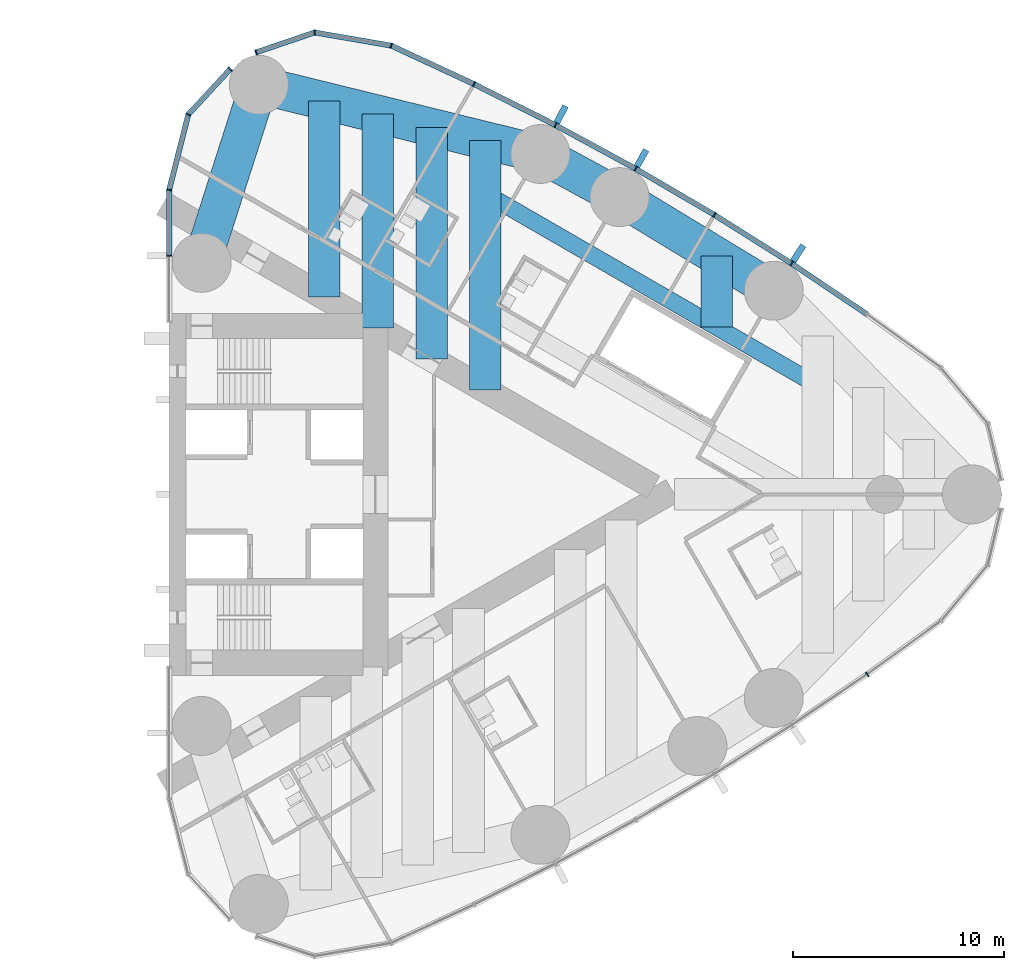
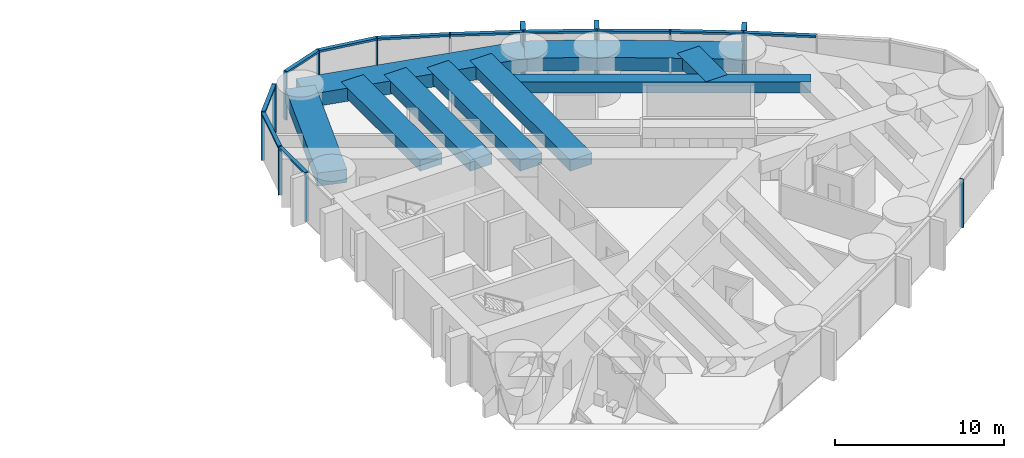
# One storey, part 8 of 18: 27 members, 10 beams, 3 elements without a shape of their own.
"""IFC4 building model written with IfcOpenShell, lengths in metres."""

from ifc_helpers import new_model, si_unit, direction, frame, origin, origin_2d, place, context, subcontext, project, spatial, rectangle, hollow_rectangle, extrude, material, material_profile, profile_set, type_object, element, aggregate, save


model = new_model("IFC4")

# Units and contexts
model_context = context("Model", 3, precision=1e-05, world=origin(), true_north=direction((0.0, 1.0)))
body_context = subcontext(model_context, "Body", "Model", "MODEL_VIEW")
ifc_project = project(units=[si_unit("LENGTHUNIT", "METRE"), si_unit("AREAUNIT", "SQUARE_METRE"), si_unit("VOLUMEUNIT", "CUBIC_METRE"), si_unit("PLANEANGLEUNIT", "RADIAN"), si_unit("MASSUNIT", "GRAM", prefix="KILO")], contexts=[model_context])

# Site, building, storey
site_placement = place(None, origin())
site = spatial("IfcSite", under=ifc_project, at=site_placement, CompositionType="ELEMENT")
building_placement = place(site_placement, origin())
building = spatial("IfcBuilding", under=site, at=building_placement, Name="Lancet Gate Hotel", CompositionType="ELEMENT")
storey_placement = place(building_placement, frame((0.0, 0.0, 180.800048828125)))
storey = spatial("IfcBuildingStorey", under=building, at=storey_placement, Name="L48", CompositionType="ELEMENT", Elevation=180.800048828125)

# Curtain wall, member
ifc_material_1 = material(Name="Aluminium curtain wall", Category="aluminium")
curtain_wall_type = type_object("IfcCurtainWallType", Name="Tower unitised curtain wall", PredefinedType="USERDEFINED", material=ifc_material_1)
curtain_wall_1_placement = place(storey_placement, origin())
curtain_wall_1 = element("IfcCurtainWall", 1, at=curtain_wall_1_placement, inside=storey, type_object=curtain_wall_type, Name="T2 L48 curtain wall 2", ObjectType="UNITISED CURTAIN WALL", PredefinedType="USERDEFINED")
ifc_material_2 = material(Name="Aluminium mullion", Category="aluminium")
ifc_material_profile_1 = material_profile(ifc_material_2, rectangle(XDim=0.06494140625, YDim=0.25, at=origin_2d()), Name="MULLION 65x250")
ifc_profile_set_1 = profile_set([ifc_material_profile_1], Name="Aluminium mullion")
member_type_1 = type_object("IfcMemberType", Name="Aluminium mullion 65x250", PredefinedType="MULLION", material=ifc_profile_set_1)
member_1_placement = place(storey_placement, frame((60.66015625, -8.547607421875, 0.0), z_axis=(0.0, 0.0, 1.0), x_axis=(0.820068208435, 0.572265789222, 0.0)))
member_1 = element("IfcMember", 2, at=member_1_placement, type_object=member_type_1, Name="T2 L48 curtain wall 2 mullion 9", PredefinedType="MULLION", context=body_context, shape_type="SweptSolid", body=[
    extrude(rectangle(XDim=0.06494140625, YDim=0.25, at=origin_2d()), origin(), (0.0, 0.0, 1.0), 3.5),
])
aggregate(curtain_wall_1, [member_1])

# Curtain wall, members
curtain_wall_2_placement = place(storey_placement, origin())
curtain_wall_2 = element("IfcCurtainWall", 3, at=curtain_wall_2_placement, inside=storey, type_object=curtain_wall_type, Name="T2 L48 curtain wall 3", ObjectType="UNITISED CURTAIN WALL", PredefinedType="USERDEFINED")
member_2_placement = place(storey_placement, frame((57.067138671875, 10.970947265625, 0.0), z_axis=(0.0, 0.0, 1.0), x_axis=(-0.837800943278, 0.545975804815, 0.0)))
member_2 = element("IfcMember", 4, at=member_2_placement, type_object=member_type_1, Name="T2 L48 curtain wall 3 mullion 5", PredefinedType="MULLION", context=body_context, shape_type="SweptSolid", body=[
    extrude(rectangle(XDim=0.06494140625, YDim=0.25, at=origin_2d()), origin(), (0.0, 0.0, 1.0), 3.5),
])
member_3_placement = place(storey_placement, frame((53.39892578125, 13.279541015625, 0.0), z_axis=(0.0, 0.0, 1.0), x_axis=(-0.854691174453, 0.519136779965, 0.0)))
member_3 = element("IfcMember", 5, at=member_3_placement, type_object=member_type_1, Name="T2 L48 curtain wall 3 mullion 6", PredefinedType="MULLION", context=body_context, shape_type="SweptSolid", body=[
    extrude(rectangle(XDim=0.06494140625, YDim=0.25, at=origin_2d()), origin(), (0.0, 0.0, 1.0), 3.5),
])
member_4_placement = place(storey_placement, frame((49.65966796875, 15.47021484375, 0.0), z_axis=(0.0, 0.0, 1.0), x_axis=(-0.870721916932, 0.491775704336, 0.0)))
member_4 = element("IfcMember", 6, at=member_4_placement, type_object=member_type_1, Name="T2 L48 curtain wall 3 mullion 7", PredefinedType="MULLION", context=body_context, shape_type="SweptSolid", body=[
    extrude(rectangle(XDim=0.06494140625, YDim=0.25, at=origin_2d()), origin(), (0.0, 0.0, 1.0), 3.5),
])
member_5_placement = place(storey_placement, frame((45.8525390625, 17.54150390625, 0.0), z_axis=(0.0, 0.0, 1.0), x_axis=(-0.885877049989, 0.463920092584, 0.0)))
member_5 = element("IfcMember", 7, at=member_5_placement, type_object=member_type_1, Name="T2 L48 curtain wall 3 mullion 8", PredefinedType="MULLION", context=body_context, shape_type="SweptSolid", body=[
    extrude(rectangle(XDim=0.06494140625, YDim=0.25, at=origin_2d()), origin(), (0.0, 0.0, 1.0), 3.5),
])
member_6_placement = place(storey_placement, frame((41.98193359375, 19.490966796875, 0.0), z_axis=(0.0, 0.0, 1.0), x_axis=(-0.900141333422, 0.435597956681, 0.0)))
member_6 = element("IfcMember", 8, at=member_6_placement, type_object=member_type_1, Name="T2 L48 curtain wall 3 mullion 9", PredefinedType="MULLION", context=body_context, shape_type="SweptSolid", body=[
    extrude(rectangle(XDim=0.06494140625, YDim=0.25, at=origin_2d()), origin(), (0.0, 0.0, 1.0), 3.5),
])
member_7_placement = place(storey_placement, frame((38.05126953125, 21.31689453125, 0.0), z_axis=(0.0, 0.0, 1.0), x_axis=(-0.951355493327, 0.308095318555, 0.0)))
member_7 = element("IfcMember", 9, at=member_7_placement, type_object=member_type_1, Name="T2 L48 curtain wall 3 mullion 10", PredefinedType="MULLION", context=body_context, shape_type="SweptSolid", body=[
    extrude(rectangle(XDim=0.06494140625, YDim=0.25, at=origin_2d()), origin(), (0.0, 0.0, 1.0), 3.5),
])
member_8_placement = place(storey_placement, frame((34.412109375, 21.9423828125, 0.0), z_axis=(0.0, 0.0, 1.0), x_axis=(-0.99877556888, -0.049470829879, 0.0)))
member_8 = element("IfcMember", 10, at=member_8_placement, type_object=member_type_1, Name="T2 L48 curtain wall 3 mullion 11", PredefinedType="MULLION", context=body_context, shape_type="SweptSolid", body=[
    extrude(rectangle(XDim=0.06494140625, YDim=0.25, at=origin_2d()), origin(), (0.0, 0.0, 1.0), 3.5),
])
member_9_placement = place(storey_placement, frame((31.631591796875, 20.998779296875, 0.0), z_axis=(0.0, 0.0, 1.0), x_axis=(-0.946952368511, -0.321373943827, 0.0)))
member_9 = element("IfcMember", 11, at=member_9_placement, type_object=member_type_1, Name="T2 L48 curtain wall 3 mullion 12", PredefinedType="MULLION", context=body_context, shape_type="SweptSolid", body=[
    extrude(rectangle(XDim=0.06494140625, YDim=0.25, at=origin_2d()), origin(), (0.0, 0.0, 1.0), 3.5),
])

curtain_wall_3_placement = place(storey_placement, origin())
curtain_wall_3 = element("IfcCurtainWall", 12, at=curtain_wall_3_placement, inside=storey, type_object=curtain_wall_type, Name="T2 L48 curtain wall 4", ObjectType="UNITISED CURTAIN WALL", PredefinedType="USERDEFINED")
member_10_placement = place(storey_placement, frame((30.40185546875, 20.199951171875, 0.0), z_axis=(0.0, 0.0, 1.0), x_axis=(-0.67883123083, -0.734294327943, 0.0)))
member_10 = element("IfcMember", 13, at=member_10_placement, type_object=member_type_1, Name="T2 L48 curtain wall 4 mullion 1", PredefinedType="MULLION", context=body_context, shape_type="SweptSolid", body=[
    extrude(rectangle(XDim=0.06494140625, YDim=0.25, at=origin_2d()), origin(), (0.0, 0.0, 1.0), 3.5),
])
member_11_placement = place(storey_placement, frame((28.408935546875, 18.04443359375, 0.0), z_axis=(0.0, 0.0, 1.0), x_axis=(-0.451505925065, -0.892268120932, 0.0)))
member_11 = element("IfcMember", 14, at=member_11_placement, type_object=member_type_1, Name="T2 L48 curtain wall 4 mullion 2", PredefinedType="MULLION", context=body_context, shape_type="SweptSolid", body=[
    extrude(rectangle(XDim=0.06494140625, YDim=0.25, at=origin_2d()), origin(), (0.0, 0.0, 1.0), 3.5),
])
member_12_placement = place(storey_placement, frame((27.5, 14.465576171875, 0.0), z_axis=(0.0, 0.0, 1.0), x_axis=(-0.134206524909, -0.990953383703, 0.0)))
member_12 = element("IfcMember", 15, at=member_12_placement, type_object=member_type_1, Name="T2 L48 curtain wall 4 mullion 3", PredefinedType="MULLION", context=body_context, shape_type="SweptSolid", body=[
    extrude(rectangle(XDim=0.06494140625, YDim=0.25, at=origin_2d()), origin(), (0.0, 0.0, 1.0), 3.5),
])
member_13_placement = place(storey_placement, frame((27.5, 11.332763671875, 0.0), z_axis=(0.0, 0.0, 1.0), x_axis=(0.0, -1.0, 0.0)))
member_13 = element("IfcMember", 16, at=member_13_placement, type_object=member_type_1, Name="T2 L48 curtain wall 4 mullion 4", PredefinedType="MULLION", context=body_context, shape_type="SweptSolid", body=[
    extrude(rectangle(XDim=0.06494140625, YDim=0.25, at=origin_2d()), origin(), (0.0, 0.0, 1.0), 3.5),
])

# Member
ifc_material_3 = material(Name="Aluminium transom", Category="aluminium")
ifc_material_profile_2 = material_profile(ifc_material_3, rectangle(XDim=0.25, YDim=0.14990234375, at=origin_2d()), Name="TRANSOM 250x150")
ifc_profile_set_2 = profile_set([ifc_material_profile_2], Name="Aluminium transom")
member_type_2 = type_object("IfcMemberType", Name="Aluminium transom 250x150", PredefinedType="USERDEFINED", material=ifc_profile_set_2)
member_14_placement = place(storey_placement, frame((60.63330078125, 8.565673828125, 3.425048828125), z_axis=(-0.829046850689, 0.559179147826, 0.0), x_axis=(-0.559179147826, -0.829046850689, 0.0)))
member_14 = element("IfcMember", 17, at=member_14_placement, type_object=member_type_2, Name="T2 L48 curtain wall 3 transom 4", ObjectType="TRANSOM", PredefinedType="USERDEFINED", context=body_context, shape_type="SweptSolid", body=[
    extrude(rectangle(XDim=0.25, YDim=0.14990234375, at=origin_2d()), origin(), (0.0, 0.0, 1.0), 4.26904296875),
])

member_15_placement = place(storey_placement, frame((57.03955078125, 10.98828125, 3.425048828125), z_axis=(-0.846333101657, 0.532653997488, 0.0), x_axis=(-0.532653997488, -0.846333101657, 0.0)))
member_15 = element("IfcMember", 18, at=member_15_placement, type_object=member_type_2, Name="T2 L48 curtain wall 3 transom 5", ObjectType="TRANSOM", PredefinedType="USERDEFINED", context=body_context, shape_type="SweptSolid", body=[
    extrude(rectangle(XDim=0.25, YDim=0.14990234375, at=origin_2d()), origin(), (0.0, 0.0, 1.0), 4.26904296875),
])

member_16_placement = place(storey_placement, frame((53.37109375, 13.2958984375, 3.425048828125), z_axis=(-0.862825279032, 0.505502262966, 0.0), x_axis=(-0.505502262966, -0.862825279032, 0.0)))
member_16 = element("IfcMember", 19, at=member_16_placement, type_object=member_type_2, Name="T2 L48 curtain wall 3 transom 6", ObjectType="TRANSOM", PredefinedType="USERDEFINED", context=body_context, shape_type="SweptSolid", body=[
    extrude(rectangle(XDim=0.25, YDim=0.14990234375, at=origin_2d()), origin(), (0.0, 0.0, 1.0), 4.26904296875),
])

member_17_placement = place(storey_placement, frame((49.631103515625, 15.48583984375, 3.425048828125), z_axis=(-0.878404302735, 0.477918278513, 0.0), x_axis=(-0.477918278513, -0.878404302735, 0.0)))
member_17 = element("IfcMember", 20, at=member_17_placement, type_object=member_type_2, Name="T2 L48 curtain wall 3 transom 7", ObjectType="TRANSOM", PredefinedType="USERDEFINED", context=body_context, shape_type="SweptSolid", body=[
    extrude(rectangle(XDim=0.25, YDim=0.14990234375, at=origin_2d()), origin(), (0.0, 0.0, 1.0), 4.26904296875),
])

member_18_placement = place(storey_placement, frame((45.82373046875, 17.55615234375, 3.425048828125), z_axis=(-0.893130969207, 0.449796700571, 0.0), x_axis=(-0.449796700571, -0.893130969207, 0.0)))
member_18 = element("IfcMember", 21, at=member_18_placement, type_object=member_type_2, Name="T2 L48 curtain wall 3 transom 8", ObjectType="TRANSOM", PredefinedType="USERDEFINED", context=body_context, shape_type="SweptSolid", body=[
    extrude(rectangle(XDim=0.25, YDim=0.14990234375, at=origin_2d()), origin(), (0.0, 0.0, 1.0), 4.26904296875),
])

member_19_placement = place(storey_placement, frame((41.952392578125, 19.504638671875, 3.425048828125), z_axis=(-0.906913768492, 0.421316290357, 0.0), x_axis=(-0.421316290357, -0.906913768492, 0.0)))
member_19 = element("IfcMember", 22, at=member_19_placement, type_object=member_type_2, Name="T2 L48 curtain wall 3 transom 9", ObjectType="TRANSOM", PredefinedType="USERDEFINED", context=body_context, shape_type="SweptSolid", body=[
    extrude(rectangle(XDim=0.25, YDim=0.14990234375, at=origin_2d()), origin(), (0.0, 0.0, 1.0), 4.26904296875),
])

member_20_placement = place(storey_placement, frame((38.019287109375, 21.322265625, 3.425048828125), z_axis=(-0.985536950873, 0.169460669373, 0.0), x_axis=(-0.169460669373, -0.985536950873, 0.0)))
member_20 = element("IfcMember", 23, at=member_20_placement, type_object=member_type_2, Name="T2 L48 curtain wall 3 transom 10", ObjectType="TRANSOM", PredefinedType="USERDEFINED", context=body_context, shape_type="SweptSolid", body=[
    extrude(rectangle(XDim=0.25, YDim=0.14990234375, at=origin_2d()), origin(), (0.0, 0.0, 1.0), 3.627685546875),
])

member_21_placement = place(storey_placement, frame((34.38134765625, 21.93212890625, 3.425048828125), z_axis=(-0.946943122832, -0.321401185625, 0.0), x_axis=(0.321401185625, -0.946943122832, 0.0)))
member_21 = element("IfcMember", 24, at=member_21_placement, type_object=member_type_2, Name="T2 L48 curtain wall 3 transom 11", ObjectType="TRANSOM", PredefinedType="USERDEFINED", context=body_context, shape_type="SweptSolid", body=[
    extrude(rectangle(XDim=0.25, YDim=0.14990234375, at=origin_2d()), origin(), (0.0, 0.0, 1.0), 2.871337890625),
])

member_22_placement = place(storey_placement, frame((30.379638671875, 20.17626953125, 3.425048828125), z_axis=(-0.678792146129, -0.734330458549, 0.0), x_axis=(0.734330458549, -0.678792146129, 0.0)))
member_22 = element("IfcMember", 25, at=member_22_placement, type_object=member_type_2, Name="T2 L48 curtain wall 4 transom 1", ObjectType="TRANSOM", PredefinedType="USERDEFINED", context=body_context, shape_type="SweptSolid", body=[
    extrude(rectangle(XDim=0.25, YDim=0.14990234375, at=origin_2d()), origin(), (0.0, 0.0, 1.0), 2.87060546875),
])

member_23_placement = place(storey_placement, frame((28.40087890625, 18.012939453125, 3.425048828125), z_axis=(-0.246128756616, -0.969237140831, 0.0), x_axis=(0.969237140831, -0.246128756616, 0.0)))
member_23 = element("IfcMember", 26, at=member_23_placement, type_object=member_type_2, Name="T2 L48 curtain wall 4 transom 2", ObjectType="TRANSOM", PredefinedType="USERDEFINED", context=body_context, shape_type="SweptSolid", body=[
    extrude(rectangle(XDim=0.25, YDim=0.14990234375, at=origin_2d()), origin(), (0.0, 0.0, 1.0), 3.62744140625),
])

member_24_placement = place(storey_placement, frame((27.5, 14.43310546875, 3.425048828125), z_axis=(0.0, -1.0, 0.0), x_axis=(1.0, 0.0, 0.0)))
member_24 = element("IfcMember", 27, at=member_24_placement, type_object=member_type_2, Name="T2 L48 curtain wall 4 transom 3", ObjectType="TRANSOM", PredefinedType="USERDEFINED", context=body_context, shape_type="SweptSolid", body=[
    extrude(rectangle(XDim=0.25, YDim=0.14990234375, at=origin_2d()), origin(), (0.0, 0.0, 1.0), 3.06787109375),
])

aggregate(curtain_wall_3, [member_10, member_11, member_12, member_13, member_22, member_23, member_24])

# Beams
ifc_material_4 = material(Name="Concrete C50/60", Category="concrete")
ifc_material_profile_3 = material_profile(ifc_material_4, rectangle(XDim=1.800048828125, YDim=0.949951171875, at=origin_2d()), Name="RC 1800x950")
ifc_profile_set_3 = profile_set([ifc_material_profile_3], Name="Concrete C50/60")
beam_type_1 = type_object("IfcBeamType", Name="Edge beam RC 1800x950", PredefinedType="SPANDREL", material=ifc_profile_set_3)
beam_1_placement = place(storey_placement, frame((56.220947265625, 9.67236328125, 2.77490234375), z_axis=(-0.854692251129, 0.519135007353, 0.0), x_axis=(-0.519135007353, -0.854692251129, 0.0)))
element("IfcBeam", 28, at=beam_1_placement, inside=storey, type_object=beam_type_1, Name="T2 edge beam EB1 L48", PredefinedType="SPANDREL", context=body_context, shape_type="SweptSolid", body=[
    extrude(rectangle(XDim=1.800048828125, YDim=0.949951171875, at=origin_2d()), origin(), (0.0, 0.0, 1.0), 8.568603515625),
])
beam_2_placement = place(storey_placement, frame((48.8974609375, 14.12060546875, 2.77490234375), z_axis=(-0.878404597051, 0.477917737566, 0.0), x_axis=(-0.477917737566, -0.878404597051, 0.0)))
element("IfcBeam", 29, at=beam_2_placement, inside=storey, type_object=beam_type_1, Name="T2 edge beam EB1 L48", PredefinedType="SPANDREL", context=body_context, shape_type="SweptSolid", body=[
    extrude(rectangle(XDim=1.800048828125, YDim=0.949951171875, at=origin_2d()), origin(), (0.0, 0.0, 1.0), 4.284912109375),
])
beam_3_placement = place(storey_placement, frame((45.133544921875, 16.16845703125, 2.77490234375), z_axis=(-0.971093253227, 0.238700426344, 0.0), x_axis=(-0.238700426344, -0.971093253227, 0.0)))
element("IfcBeam", 30, at=beam_3_placement, inside=storey, type_object=beam_type_1, Name="T2 edge beam EB1 L48", PredefinedType="SPANDREL", context=body_context, shape_type="SweptSolid", body=[
    extrude(rectangle(XDim=1.800048828125, YDim=0.949951171875, at=origin_2d()), origin(), (0.0, 0.0, 1.0), 13.77197265625),
])
beam_4_placement = place(storey_placement, frame((29.050048828125, 11.0, 2.77490234375), z_axis=(0.305169772986, 0.952297962644, 0.0), x_axis=(-0.952297962644, 0.305169772986, 0.0)))
element("IfcBeam", 31, at=beam_4_placement, inside=storey, type_object=beam_type_1, Name="T2 edge beam EB1 L48", PredefinedType="SPANDREL", context=body_context, shape_type="SweptSolid", body=[
    extrude(rectangle(XDim=1.800048828125, YDim=0.949951171875, at=origin_2d()), origin(), (0.0, 0.0, 1.0), 8.87939453125),
])

# Member
ifc_material_5 = material(Name="Precast concrete C50/60", Category="concrete")
ifc_material_profile_4 = material_profile(ifc_material_5, rectangle(XDim=0.300048828125, YDim=0.89990234375, at=origin_2d()), Name="FIN 300x900")
ifc_profile_set_4 = profile_set([ifc_material_profile_4], Name="Precast concrete C50/60")
member_type_3 = type_object("IfcMemberType", Name="Exposed concrete fin 300x900", PredefinedType="USERDEFINED", material=ifc_profile_set_4)
member_25_placement = place(storey_placement, frame((57.381103515625, 11.452880859375, 0.0), z_axis=(0.0, 0.0, 1.0), x_axis=(-0.837800943278, 0.545975804815, 0.0)))
member_25 = element("IfcMember", 32, at=member_25_placement, type_object=member_type_3, Name="T2 L48 curtain wall 3 fin 5", ObjectType="FIN", PredefinedType="USERDEFINED", context=body_context, shape_type="SweptSolid", body=[
    extrude(rectangle(XDim=0.300048828125, YDim=0.89990234375, at=origin_2d()), origin(), (0.0, 0.0, 1.0), 3.5),
])

member_26_placement = place(storey_placement, frame((49.9423828125, 15.970947265625, 0.0), z_axis=(0.0, 0.0, 1.0), x_axis=(-0.870721916932, 0.491775704336, 0.0)))
member_26 = element("IfcMember", 33, at=member_26_placement, type_object=member_type_3, Name="T2 L48 curtain wall 3 fin 7", ObjectType="FIN", PredefinedType="USERDEFINED", context=body_context, shape_type="SweptSolid", body=[
    extrude(rectangle(XDim=0.300048828125, YDim=0.89990234375, at=origin_2d()), origin(), (0.0, 0.0, 1.0), 3.5),
])

member_27_placement = place(storey_placement, frame((46.119384765625, 18.051025390625, 0.0), z_axis=(0.0, 0.0, 1.0), x_axis=(-0.885877049989, 0.463920092584, 0.0)))
member_27 = element("IfcMember", 34, at=member_27_placement, type_object=member_type_3, Name="T2 L48 curtain wall 3 fin 8", ObjectType="FIN", PredefinedType="USERDEFINED", context=body_context, shape_type="SweptSolid", body=[
    extrude(rectangle(XDim=0.300048828125, YDim=0.89990234375, at=origin_2d()), origin(), (0.0, 0.0, 1.0), 3.5),
])

aggregate(curtain_wall_2, [member_2, member_25, member_3, member_4, member_26, member_5, member_27, member_6, member_7, member_8, member_9, member_14, member_15, member_16, member_17, member_18, member_19, member_20, member_21])

# Beams
ifc_material_6 = material(Name="Concrete C50/60", Category="concrete")
ifc_material_profile_5 = material_profile(ifc_material_6, rectangle(XDim=1.5, YDim=0.800048828125, at=origin_2d()), Name="RC 1500x800")
ifc_profile_set_5 = profile_set([ifc_material_profile_5], Name="Concrete C50/60")
beam_type_2 = type_object("IfcBeamType", Name="Floor beam RC 1500x800", PredefinedType="BEAM", material=ifc_profile_set_5)
beam_5_placement = place(storey_placement, frame((34.859619140625, 9.377685546875, 2.849853515625), z_axis=(0.0, 1.0, 0.0), x_axis=(-1.0, 0.0, 0.0)))
element("IfcBeam", 35, at=beam_5_placement, inside=storey, type_object=beam_type_2, Name="T2 floor beam F02N L48", PredefinedType="BEAM", context=body_context, shape_type="SweptSolid", body=[
    extrude(rectangle(XDim=1.5, YDim=0.800048828125, at=origin_2d()), origin(), (0.0, 0.0, 1.0), 9.316162109375),
])
beam_6_placement = place(storey_placement, frame((37.412841796875, 7.903564453125, 2.849853515625), z_axis=(0.0, 1.0, 0.0), x_axis=(-1.0, 0.0, 0.0)))
element("IfcBeam", 36, at=beam_6_placement, inside=storey, type_object=beam_type_2, Name="T2 floor beam F04N L48", PredefinedType="BEAM", context=body_context, shape_type="SweptSolid", body=[
    extrude(rectangle(XDim=1.5, YDim=0.800048828125, at=origin_2d()), origin(), (0.0, 0.0, 1.0), 10.16259765625),
])
beam_7_placement = place(storey_placement, frame((39.9658203125, 6.429443359375, 2.849853515625), z_axis=(0.0, 1.0, 0.0), x_axis=(-1.0, 0.0, 0.0)))
element("IfcBeam", 37, at=beam_7_placement, inside=storey, type_object=beam_type_2, Name="T2 floor beam F06N L48", PredefinedType="BEAM", context=body_context, shape_type="SweptSolid", body=[
    extrude(rectangle(XDim=1.5, YDim=0.800048828125, at=origin_2d()), origin(), (0.0, 0.0, 1.0), 11.00927734375),
])
beam_8_placement = place(storey_placement, frame((42.51904296875, 4.95556640625, 2.849853515625), z_axis=(0.0, 1.0, 0.0), x_axis=(-1.0, 0.0, 0.0)))
element("IfcBeam", 38, at=beam_8_placement, inside=storey, type_object=beam_type_2, Name="T2 floor beam F08N L48", PredefinedType="BEAM", context=body_context, shape_type="SweptSolid", body=[
    extrude(rectangle(XDim=1.5, YDim=0.800048828125, at=origin_2d()), origin(), (0.0, 0.0, 1.0), 11.85546875),
])
beam_9_placement = place(storey_placement, frame((53.502197265625, 7.94775390625, 2.849853515625), z_axis=(0.0, 1.0, 0.0), x_axis=(-1.0, 0.0, 0.0)))
element("IfcBeam", 39, at=beam_9_placement, inside=storey, type_object=beam_type_2, Name="T2 floor beam F11NB L48", PredefinedType="BEAM", context=body_context, shape_type="SweptSolid", body=[
    extrude(rectangle(XDim=1.5, YDim=0.800048828125, at=origin_2d()), origin(), (0.0, 0.0, 1.0), 3.3759765625),
])
ifc_material_7 = material(Name="Steel S460QL", Category="steel")
ifc_material_profile_6 = material_profile(ifc_material_7, hollow_rectangle(XDim=0.800048828125, YDim=0.800048828125, WallThickness=0.080078125, at=origin_2d()), Name="BOX 800x800x80")
ifc_profile_set_6 = profile_set([ifc_material_profile_6], Name="Steel S460QL")
beam_type_3 = type_object("IfcBeamType", Name="Trimmer beam BOX 800x800x80", PredefinedType="BEAM", material=ifc_profile_set_6)
beam_10_placement = place(storey_placement, frame((42.51904296875, 14.289794921875, 2.849853515625), z_axis=(0.865993732867, -0.500054851626, 0.0), x_axis=(0.500054851626, 0.865993732867, 0.0)))
element("IfcBeam", 40, at=beam_10_placement, inside=storey, type_object=beam_type_3, Name="T2 trimmer beam TR01N L48", PredefinedType="BEAM", context=body_context, shape_type="SweptSolid", body=[
    extrude(hollow_rectangle(XDim=0.800048828125, YDim=0.800048828125, WallThickness=0.080078125, at=origin_2d()), origin(), (0.0, 0.0, 1.0), 18.2255859375),
])

save(model, "model.ifc")
